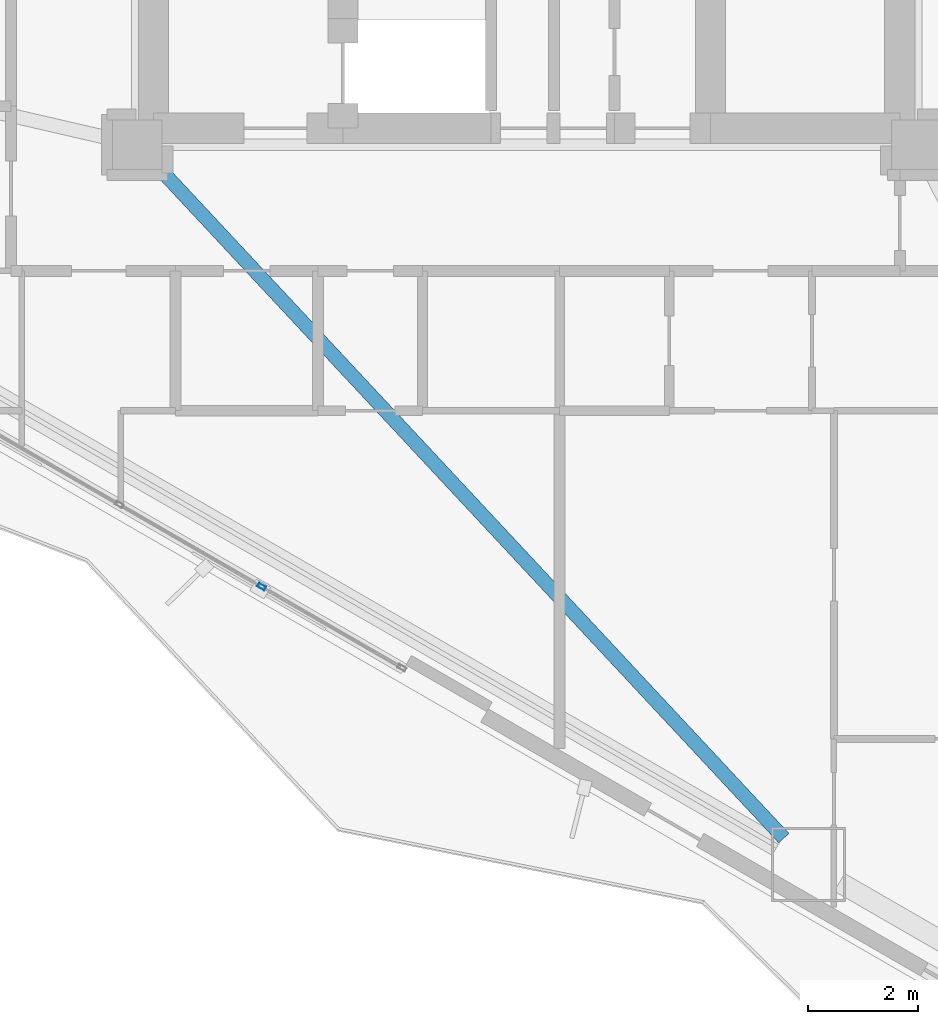
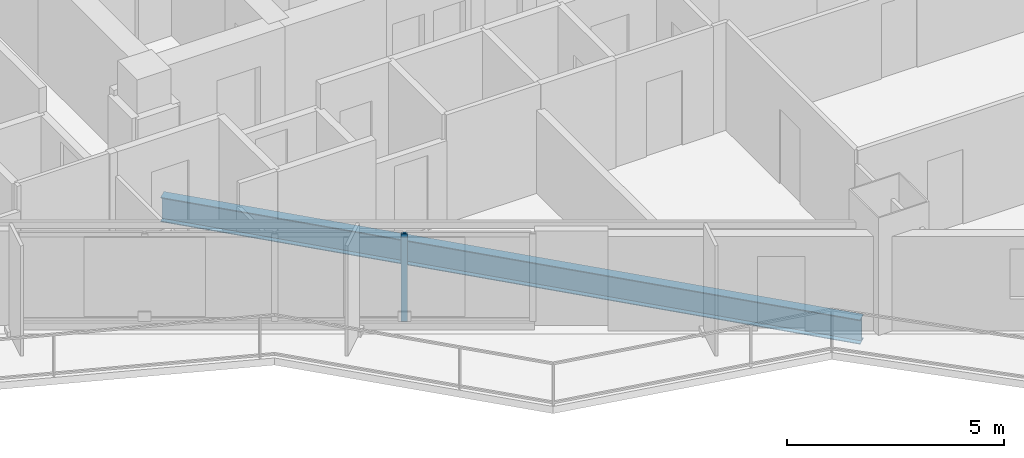
# One storey, part 4 of 19: 1 beam, 1 member, 1 element without a shape of its own.
"""IFC4 building model written with IfcOpenShell, lengths in metres."""

from ifc_helpers import new_model, si_unit, direction, frame, origin, origin_2d, place, context, subcontext, project, spatial, hollow_rectangle, i_section, extrude, material, layer, layer_set, material_profile, profile_set, type_object, element, aggregate, save


model = new_model("IFC4")

# Units and contexts
model_context = context("Model", 3, precision=1e-05, world=origin(), true_north=direction((0.0, 1.0)))
body_context = subcontext(model_context, "Body", "Model", "MODEL_VIEW")
ifc_project = project(units=[si_unit("LENGTHUNIT", "METRE"), si_unit("AREAUNIT", "SQUARE_METRE"), si_unit("VOLUMEUNIT", "CUBIC_METRE"), si_unit("PLANEANGLEUNIT", "RADIAN"), si_unit("MASSUNIT", "GRAM", prefix="KILO")], contexts=[model_context])

# Site, building, storey
site_placement = place(None, origin())
site = spatial("IfcSite", under=ifc_project, at=site_placement, CompositionType="ELEMENT")
building_placement = place(site_placement, origin())
building = spatial("IfcBuilding", under=site, at=building_placement, Name="Mersakhor Tower and Convention Hall", CompositionType="ELEMENT")
storey_placement = place(building_placement, frame((0.0, 0.0, 25.800048828125)))
storey = spatial("IfcBuildingStorey", under=building, at=storey_placement, Name="L06", CompositionType="ELEMENT", Elevation=25.800048828125)

# Beam
ifc_material_1 = material(Name="Steel S355", Category="steel")
ifc_material_profile_1 = material_profile(ifc_material_1, i_section(OverallWidth=0.25439453125, OverallDepth=0.6875, WebThickness=0.01318359375, FlangeThickness=0.02099609375, at=origin_2d()), Name="UB 686x254x152")
ifc_profile_set_1 = profile_set([ifc_material_profile_1], Name="Steel S355")
beam_type = type_object("IfcBeamType", Name="BM-PR-686", PredefinedType="BEAM", material=ifc_profile_set_1)
beam_placement = place(storey_placement, frame((22.193359375, 20.135498046875, -0.603759765625), z_axis=(0.68200435324, -0.731348112845, 0.0), x_axis=(0.731348112845, 0.68200435324, 0.0)))
element("IfcBeam", 1, at=beam_placement, inside=storey, type_object=beam_type, Name="L06 Primary Floor Girder FG-5", PredefinedType="BEAM", context=body_context, shape_type="SweptSolid", body=[
    extrude(i_section(OverallWidth=0.25439453125, OverallDepth=0.6875, WebThickness=0.01318359375, FlangeThickness=0.02099609375, at=origin_2d()), origin(), (0.0, 0.0, 1.0), 16.85205078125),
])

# Curtain wall, member
ifc_material_2 = material(Name="Dark solar low-E aluminium curtain wall", Category="aluminium")
ifc_layer = layer(ifc_material_2, 0.159912109375)
ifc_layer_set = layer_set([ifc_layer], Name="Dark solar low-E aluminium curtain wall")
curtain_wall_type = type_object("IfcCurtainWallType", Name="CW-SYS-01", PredefinedType="USERDEFINED", material=ifc_layer_set)
curtain_wall_placement = place(storey_placement, origin())
curtain_wall = element("IfcCurtainWall", 2, at=curtain_wall_placement, inside=storey, type_object=curtain_wall_type, Name="L06 Dark-Glass Curtain Wall F3-B2", ObjectType="CURTAIN WALL", PredefinedType="USERDEFINED")
ifc_material_3 = material(Name="Anodised aluminium EN AW-6063 T6", Category="aluminium")
ifc_material_profile_2 = material_profile(ifc_material_3, hollow_rectangle(XDim=0.074951171875, YDim=0.14990234375, WallThickness=0.00634765625, at=origin_2d()), Name="RHS 150x75x6.3")
ifc_profile_set_2 = profile_set([ifc_material_profile_2], Name="Anodised aluminium EN AW-6063 T6")
member_type = type_object("IfcMemberType", Name="CWM-150x75", PredefinedType="MULLION", material=ifc_profile_set_2)
member_placement = place(storey_placement, frame((24.167236328125, 12.392822265625, 0.199951171875), z_axis=(0.0, 0.0, 1.0), x_axis=(-0.50000344889, -0.866023412558, 0.0)))
member = element("IfcMember", 3, at=member_placement, type_object=member_type, Name="CW-01 mullion 2", PredefinedType="MULLION", context=body_context, shape_type="SweptSolid", body=[
    extrude(hollow_rectangle(XDim=0.074951171875, YDim=0.14990234375, WallThickness=0.00634765625, at=origin_2d()), origin(), (0.0, 0.0, 1.0), 2.4599609375),
])
aggregate(curtain_wall, [member])

save(model, "model.ifc")
